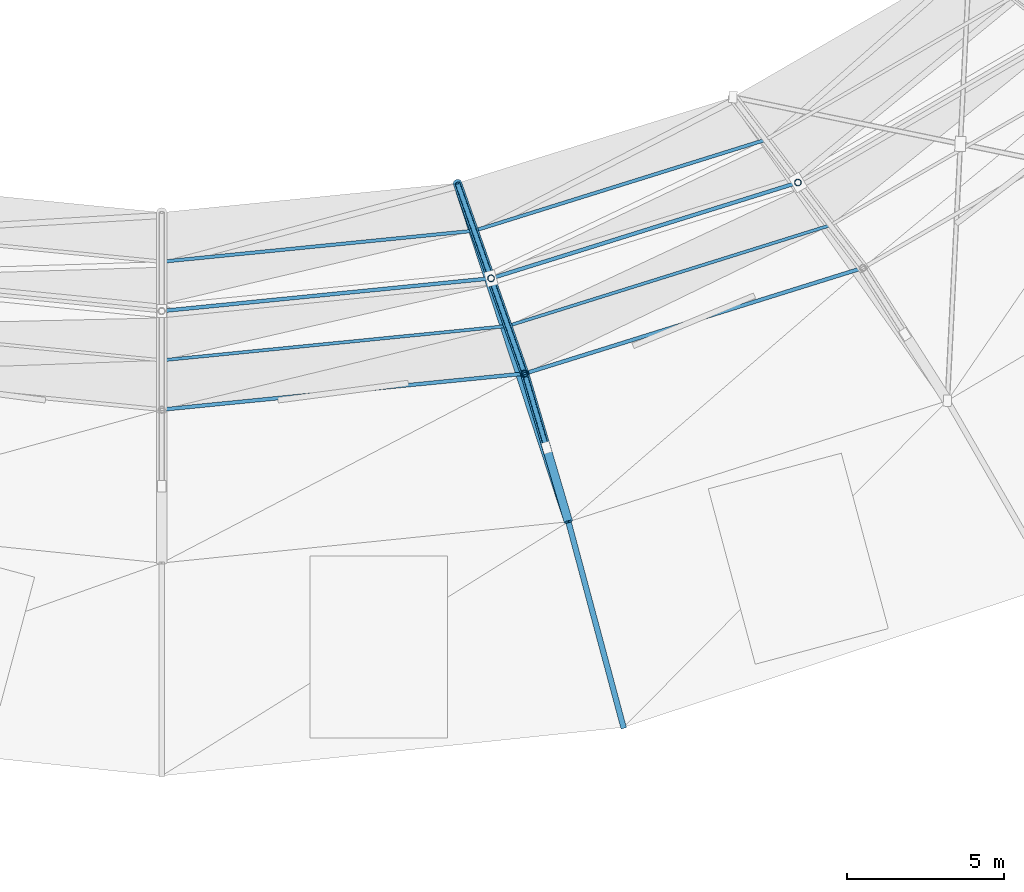
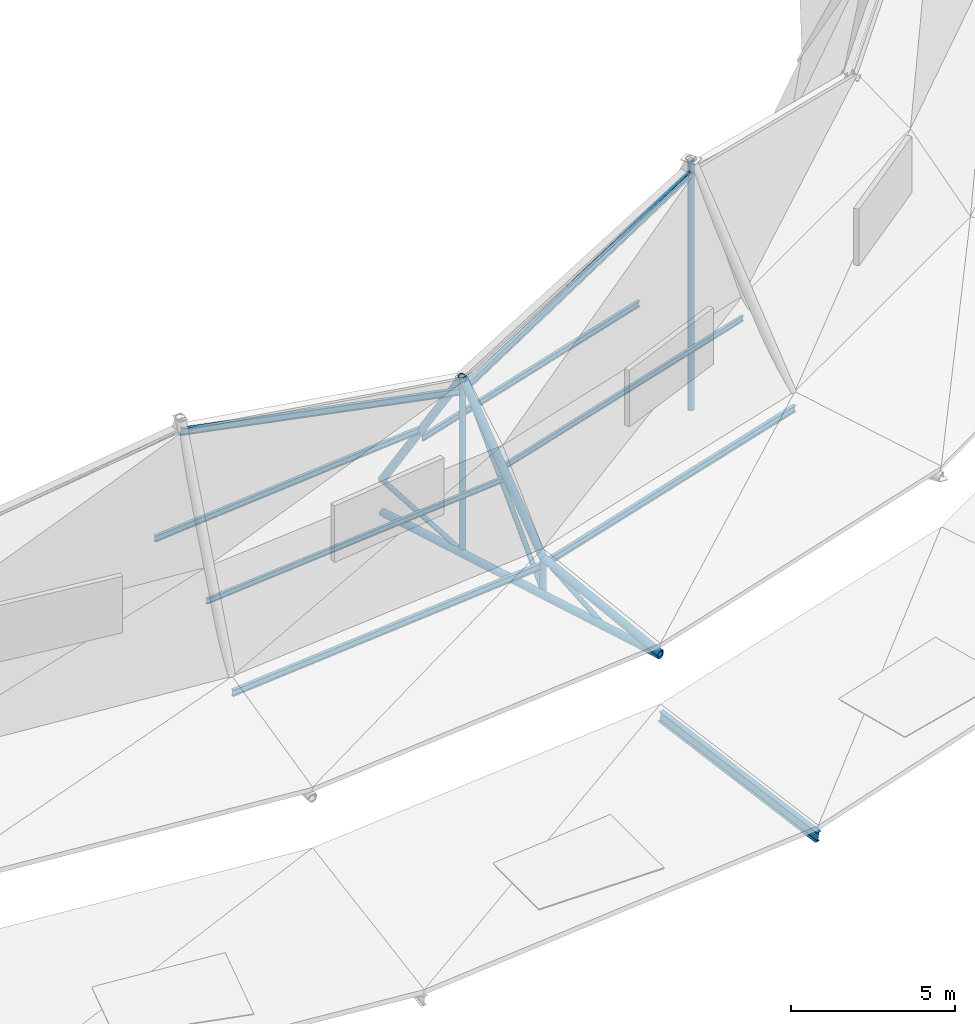
# One storey, part 3 of 36: 17 members, 2 beams.
"""IFC4 building model written with IfcOpenShell, lengths in metres."""

from ifc_helpers import new_model, si_unit, direction, frame, origin, origin_2d, place, context, subcontext, project, spatial, hollow_circle, i_section, extrude, material, material_profile, profile_set, type_object, element, save


model = new_model("IFC4")

# Units and contexts
model_context = context("Model", 3, precision=1e-05, world=origin(), true_north=direction((0.0, 1.0)))
body_context = subcontext(model_context, "Body", "Model", "MODEL_VIEW")
ifc_project = project(units=[si_unit("LENGTHUNIT", "METRE"), si_unit("AREAUNIT", "SQUARE_METRE"), si_unit("VOLUMEUNIT", "CUBIC_METRE"), si_unit("PLANEANGLEUNIT", "RADIAN"), si_unit("MASSUNIT", "GRAM", prefix="KILO")], contexts=[model_context])

# Site, building, storey
site_placement = place(None, origin())
site = spatial("IfcSite", under=ifc_project, at=site_placement, CompositionType="ELEMENT")
building_placement = place(site_placement, origin())
building = spatial("IfcBuilding", under=site, at=building_placement, Name="Kildeholm Park Wholesale Market", CompositionType="ELEMENT")
storey_placement = place(building_placement, frame((0.0, 0.0, 17.39990234375)))
storey = spatial("IfcBuildingStorey", under=building, at=storey_placement, Name="Roof", CompositionType="ELEMENT", Elevation=17.39990234375)

# Beams
ifc_material = material(Name="Steel S355", Category="steel")
ifc_material_profile_1 = material_profile(ifc_material, i_section(OverallWidth=0.179931640625, OverallDepth=0.39990234375, WebThickness=0.008544921875, FlangeThickness=0.013427734375, FilletRadius=0.02099609375, at=origin_2d()), Name="IPE 400")
ifc_profile_set_1 = profile_set([ifc_material_profile_1], Name="Steel S355")
beam_type_1 = type_object("IfcBeamType", Name="Beam B-P01 IPE 400", PredefinedType="BEAM", material=ifc_profile_set_1)
beam_1_placement = place(storey_placement, frame((113.7529296875, 45.550048828125, -8.0244140625), z_axis=(-0.255180478877, 0.95240476691, 0.166757558051), x_axis=(-0.965929783914, -0.258804274594, 0.0)))
element("IfcBeam", 1, at=beam_1_placement, inside=storey, type_object=beam_type_1, Name="Beam BM-V1-RF-S1-19 BM-0333", PredefinedType="BEAM", context=body_context, shape_type="SweptSolid", body=[
    extrude(i_section(OverallWidth=0.179931640625, OverallDepth=0.39990234375, WebThickness=0.008544921875, FlangeThickness=0.013427734375, FilletRadius=0.02099609375, at=origin_2d()), origin(), (0.0, 0.0, 1.0), 6.897216796875),
])
ifc_material_profile_2 = material_profile(ifc_material, hollow_circle(Radius=0.136474609375, WallThickness=0.01611328125, at=origin_2d()), Name="CHS 273x16")
ifc_profile_set_2 = profile_set([ifc_material_profile_2], Name="Steel S355")
beam_type_2 = type_object("IfcBeamType", Name="Beam B-T01 CHS 273x16", PredefinedType="BEAM", material=ifc_profile_set_2)
beam_2_placement = place(storey_placement, frame((111.992919921875, 52.118896484375, -4.6298828125), z_axis=(-0.31146940438, 0.950256181319, 0.0), x_axis=(-0.950256181319, -0.31146940438, 0.0)))
element("IfcBeam", 2, at=beam_2_placement, inside=storey, type_object=beam_type_2, Name="Beam BM-V1-TIE-19 BM-0338", PredefinedType="BEAM", context=body_context, shape_type="SweptSolid", body=[
    extrude(hollow_circle(Radius=0.136474609375, WallThickness=0.01611328125, at=origin_2d()), origin(), (0.0, 0.0, 1.0), 11.384521484375),
])

# Members
ifc_material_profile_3 = material_profile(ifc_material, i_section(OverallWidth=0.10009765625, OverallDepth=0.199951171875, WebThickness=0.005615234375, FlangeThickness=0.008544921875, FilletRadius=0.011962890625, at=origin_2d()), Name="IPE 200")
ifc_profile_set_3 = profile_set([ifc_material_profile_3], Name="Steel S355")
member_type_1 = type_object("IfcMemberType", Name="Member PR-01 IPE 200", PredefinedType="PURLIN", material=ifc_profile_set_3)
member_1_placement = place(storey_placement, frame((99.0, 57.27490234375, -1.2099609375), z_axis=(0.995105258288, 0.098820670548, 0.0), x_axis=(-0.098820670548, 0.995105258288, 0.0)))
element("IfcMember", 3, at=member_1_placement, inside=storey, type_object=member_type_1, Name="Member PR-V1-MDO-18 MEM-0242", PredefinedType="PURLIN", context=body_context, shape_type="SweptSolid", body=[
    extrude(i_section(OverallWidth=0.10009765625, OverallDepth=0.199951171875, WebThickness=0.005615234375, FlangeThickness=0.008544921875, FilletRadius=0.011962890625, at=origin_2d()), origin(), (0.0, 0.0, 1.0), 11.112548828125),
])
member_2_placement = place(storey_placement, frame((110.05810546875, 58.373046875, -0.7646484375), z_axis=(0.954510153273, 0.298178415213, 0.0), x_axis=(-0.298178415213, 0.954510153273, 0.0)))
element("IfcMember", 4, at=member_2_placement, inside=storey, type_object=member_type_1, Name="Member PR-V1-MDO-19 MEM-0254", PredefinedType="PURLIN", context=body_context, shape_type="SweptSolid", body=[
    extrude(i_section(OverallWidth=0.10009765625, OverallDepth=0.199951171875, WebThickness=0.005615234375, FlangeThickness=0.008544921875, FilletRadius=0.011962890625, at=origin_2d()), origin(), (0.0, 0.0, 1.0), 10.79541015625),
])
ifc_material_profile_4 = material_profile(ifc_material, i_section(OverallWidth=0.1201171875, OverallDepth=0.239990234375, WebThickness=0.006103515625, FlangeThickness=0.009765625, FilletRadius=0.014892578125, at=origin_2d()), Name="IPE 240")
ifc_profile_set_4 = profile_set([ifc_material_profile_4], Name="Steel S355")
member_type_2 = type_object("IfcMemberType", Name="Member PR-02 IPE 240", PredefinedType="PURLIN", material=ifc_profile_set_4)
member_3_placement = place(storey_placement, frame((99.0, 55.699951171875, -3.66162109375), z_axis=(0.995099849345, 0.098875122419, 0.0), x_axis=(-0.098875122419, 0.995099849345, 0.0)))
element("IfcMember", 5, at=member_3_placement, inside=storey, type_object=member_type_2, Name="Member PR-V1-STP2-18 MEM-0240", PredefinedType="PURLIN", context=body_context, shape_type="SweptSolid", body=[
    extrude(i_section(OverallWidth=0.1201171875, OverallDepth=0.239990234375, WebThickness=0.006103515625, FlangeThickness=0.009765625, FilletRadius=0.014892578125, at=origin_2d()), origin(), (0.0, 0.0, 1.0), 11.652099609375),
])
member_4_placement = place(storey_placement, frame((99.0, 58.85009765625, 4.140625), z_axis=(0.961949605276, 0.095449401591, -0.256012438458), x_axis=(-0.098740063557, 0.995113259809, 0.0)))
element("IfcMember", 6, at=member_4_placement, inside=storey, type_object=member_type_2, Name="Member PR-V1-CRWN-18 MEM-0241", PredefinedType="PURLIN", context=body_context, shape_type="SweptSolid", body=[
    extrude(i_section(OverallWidth=0.1201171875, OverallDepth=0.239990234375, WebThickness=0.006103515625, FlangeThickness=0.009765625, FilletRadius=0.014892578125, at=origin_2d()), origin(), (0.0, 0.0, 1.0), 10.937255859375),
])
member_5_placement = place(storey_placement, frame((110.594970703125, 56.85205078125, -3.65087890625), z_axis=(0.95449417592, 0.298229556107, 0.0), x_axis=(-0.298229556107, 0.95449417592, 0.0)))
element("IfcMember", 7, at=member_5_placement, inside=storey, type_object=member_type_2, Name="Member PR-V1-STP2-19 MEM-0252", PredefinedType="PURLIN", context=body_context, shape_type="SweptSolid", body=[
    extrude(i_section(OverallWidth=0.1201171875, OverallDepth=0.239990234375, WebThickness=0.006103515625, FlangeThickness=0.009765625, FilletRadius=0.014892578125, at=origin_2d()), origin(), (0.0, 0.0, 1.0), 11.320068359375),
])
member_6_placement = place(storey_placement, frame((109.52099609375, 59.89404296875, 1.35400390625), z_axis=(0.920919634022, 0.287625421468, 0.2630183351), x_axis=(-0.298122049898, 0.954527759347, 0.0)))
element("IfcMember", 8, at=member_6_placement, inside=storey, type_object=member_type_2, Name="Member PR-V1-CRWN-19 MEM-0253", PredefinedType="PURLIN", context=body_context, shape_type="SweptSolid", body=[
    extrude(i_section(OverallWidth=0.1201171875, OverallDepth=0.239990234375, WebThickness=0.006103515625, FlangeThickness=0.009765625, FilletRadius=0.014892578125, at=origin_2d()), origin(), (0.0, 0.0, 1.0), 10.645751953125),
])
ifc_material_profile_5 = material_profile(ifc_material, i_section(OverallWidth=0.110107421875, OverallDepth=0.219970703125, WebThickness=0.005859375, FlangeThickness=0.00927734375, FilletRadius=0.011962890625, at=origin_2d()), Name="IPE 220")
ifc_profile_set_5 = profile_set([ifc_material_profile_5], Name="Steel S355")
member_type_3 = type_object("IfcMemberType", Name="Member PR-03 IPE 220", PredefinedType="PURLIN", material=ifc_profile_set_5)
member_7_placement = place(storey_placement, frame((99.0, 60.425048828125, -0.794189453125), z_axis=(0.995114945582, 0.098723072681, 0.0), x_axis=(-0.098723072681, 0.995114945582, 0.0)))
element("IfcMember", 9, at=member_7_placement, inside=storey, type_object=member_type_3, Name="Member PR-V1-MDI-18 MEM-0243", PredefinedType="PURLIN", context=body_context, shape_type="SweptSolid", body=[
    extrude(i_section(OverallWidth=0.110107421875, OverallDepth=0.219970703125, WebThickness=0.005859375, FlangeThickness=0.00927734375, FilletRadius=0.011962890625, at=origin_2d()), origin(), (0.0, 0.0, 1.0), 10.032958984375),
])
member_8_placement = place(storey_placement, frame((108.98388671875, 61.41552734375, -1.143798828125), z_axis=(0.954563733867, 0.29800684218, 0.0), x_axis=(-0.29800684218, 0.954563733867, 0.0)))
element("IfcMember", 10, at=member_8_placement, inside=storey, type_object=member_type_3, Name="Member PR-V1-MDI-19 MEM-0255", PredefinedType="PURLIN", context=body_context, shape_type="SweptSolid", body=[
    extrude(i_section(OverallWidth=0.110107421875, OverallDepth=0.219970703125, WebThickness=0.005859375, FlangeThickness=0.00927734375, FilletRadius=0.011962890625, at=origin_2d()), origin(), (0.0, 0.0, 1.0), 9.74658203125),
])
ifc_material_profile_6 = material_profile(ifc_material, hollow_circle(Radius=0.084228515625, WallThickness=0.010009765625, at=origin_2d()), Name="CHS 168.3x10")
ifc_profile_set_6 = profile_set([ifc_material_profile_6], Name="Steel S355")
member_type_4 = type_object("IfcMemberType", Name="Member TB-01 CHS 168.3x10", PredefinedType="BRACE", material=ifc_profile_set_6)
member_9_placement = place(storey_placement, frame((111.2939453125, 54.486083984375, -4.6298828125), z_axis=(-0.253146344437, 0.856877828828, 0.449084974989), x_axis=(-0.959024430509, -0.283323387117, 0.0)))
element("IfcMember", 11, at=member_9_placement, inside=storey, type_object=member_type_4, Name="Member TR-V1-19-WB1 MEM-0249", PredefinedType="BRACE", context=body_context, shape_type="SweptSolid", body=[
    extrude(hollow_circle(Radius=0.084228515625, WallThickness=0.010009765625, at=origin_2d()), origin(), (0.0, 0.0, 1.0), 2.76123046875),
])
member_10_placement = place(storey_placement, frame((110.594970703125, 56.85205078125, -4.6298828125), z_axis=(-0.14818432141, 0.419726448005, 0.895472565595), x_axis=(-0.942958194793, -0.332911163635, 0.0)))
element("IfcMember", 12, at=member_10_placement, inside=storey, type_object=member_type_4, Name="Member TR-V1-19-WB2 MEM-0250", PredefinedType="BRACE", context=body_context, shape_type="SweptSolid", body=[
    extrude(hollow_circle(Radius=0.084228515625, WallThickness=0.010009765625, at=origin_2d()), origin(), (0.0, 0.0, 1.0), 7.24755859375),
])
member_11_placement = place(storey_placement, frame((109.52099609375, 59.89404296875, -4.6298828125), z_axis=(-0.312262080305, 0.884754391663, 0.345979854378), x_axis=(-0.942991730323, -0.332816160277, 0.0)))
element("IfcMember", 13, at=member_11_placement, inside=storey, type_object=member_type_4, Name="Member TR-V1-19-WB3 MEM-0251", PredefinedType="BRACE", context=body_context, shape_type="SweptSolid", body=[
    extrude(hollow_circle(Radius=0.084228515625, WallThickness=0.010009765625, at=origin_2d()), origin(), (0.0, 0.0, 1.0), 3.439453125),
])
ifc_material_profile_7 = material_profile(ifc_material, hollow_circle(Radius=0.109619140625, WallThickness=0.012451171875, at=origin_2d()), Name="CHS 219.1x12.5")
ifc_profile_set_7 = profile_set([ifc_material_profile_7], Name="Steel S355")
member_type_5 = type_object("IfcMemberType", Name="Member TB-02 CHS 219.1x12.5", PredefinedType="BRACE", material=ifc_profile_set_7)
member_12_placement = place(storey_placement, frame((110.594970703125, 56.85205078125, -4.6298828125), z_axis=(0.0, 0.0, 1.0), x_axis=(1.0, 0.0, 0.0)))
element("IfcMember", 14, at=member_12_placement, inside=storey, type_object=member_type_5, Name="Member TR-V1-19-VT1 MEM-0247", PredefinedType="BRACE", context=body_context, shape_type="SweptSolid", body=[
    extrude(hollow_circle(Radius=0.109619140625, WallThickness=0.012451171875, at=origin_2d()), origin(), (0.0, 0.0, 1.0), 1.239990234375),
])
member_13_placement = place(storey_placement, frame((109.52099609375, 59.89404296875, -4.6298828125), z_axis=(0.0, 0.0, 1.0), x_axis=(1.0, 0.0, 0.0)))
element("IfcMember", 15, at=member_13_placement, inside=storey, type_object=member_type_5, Name="Member TR-V1-19-VT2 MEM-0248", PredefinedType="BRACE", context=body_context, shape_type="SweptSolid", body=[
    extrude(hollow_circle(Radius=0.109619140625, WallThickness=0.012451171875, at=origin_2d()), origin(), (0.0, 0.0, 1.0), 6.489990234375),
])
member_14_placement = place(storey_placement, frame((119.324951171875, 62.9560546875, -4.6298828125), z_axis=(0.0, 0.0, 1.0), x_axis=(1.0, 0.0, 0.0)))
element("IfcMember", 16, at=member_14_placement, inside=storey, type_object=member_type_5, Name="Member TR-V1-20-VT2 MEM-0260", PredefinedType="BRACE", context=body_context, shape_type="SweptSolid", body=[
    extrude(hollow_circle(Radius=0.109619140625, WallThickness=0.012451171875, at=origin_2d()), origin(), (0.0, 0.0, 1.0), 9.2900390625),
])
ifc_material_profile_8 = material_profile(ifc_material, hollow_circle(Radius=0.136474609375, WallThickness=0.01611328125, at=origin_2d()), Name="CHS 273x16")
ifc_profile_set_8 = profile_set([ifc_material_profile_8], Name="Steel S355")
member_type_6 = type_object("IfcMemberType", Name="Member TC-02 CHS 273x16", PredefinedType="CHORD", material=ifc_profile_set_8)
member_15_placement = place(storey_placement, frame((111.992919921875, 52.118896484375, -4.579833984375), z_axis=(-0.275365256471, 0.932327318758, 0.23439229131), x_axis=(-0.959044282835, -0.283256180095, 0.0)))
element("IfcMember", 17, at=member_15_placement, inside=storey, type_object=member_type_6, Name="Member TR-V1-19-TC1 MEM-0244", PredefinedType="CHORD", context=body_context, shape_type="SweptSolid", body=[
    extrude(hollow_circle(Radius=0.136474609375, WallThickness=0.01611328125, at=origin_2d()), origin(), (0.0, 0.0, 1.0), 5.07666015625),
])
member_16_placement = place(storey_placement, frame((110.594970703125, 56.85205078125, -3.389892578125), z_axis=(-0.174291330852, 0.493673558175, 0.852002904895), x_axis=(-0.942958194793, -0.332911163635, 0.0)))
element("IfcMember", 18, at=member_16_placement, inside=storey, type_object=member_type_6, Name="Member TR-V1-19-TC2 MEM-0245", PredefinedType="CHORD", context=body_context, shape_type="SweptSolid", body=[
    extrude(hollow_circle(Radius=0.136474609375, WallThickness=0.01611328125, at=origin_2d()), origin(), (0.0, 0.0, 1.0), 6.161865234375),
])
member_17_placement = place(storey_placement, frame((109.52099609375, 59.89404296875, 1.860107421875), z_axis=(-0.173078593626, 0.490395906104, -0.854140302119), x_axis=(-0.942991730323, -0.332816160277, 0.0)))
element("IfcMember", 19, at=member_17_placement, inside=storey, type_object=member_type_6, Name="Member TR-V1-19-TC3 MEM-0246", PredefinedType="CHORD", context=body_context, shape_type="SweptSolid", body=[
    extrude(hollow_circle(Radius=0.136474609375, WallThickness=0.01611328125, at=origin_2d()), origin(), (0.0, 0.0, 1.0), 6.205078125),
])

save(model, "model.ifc")
